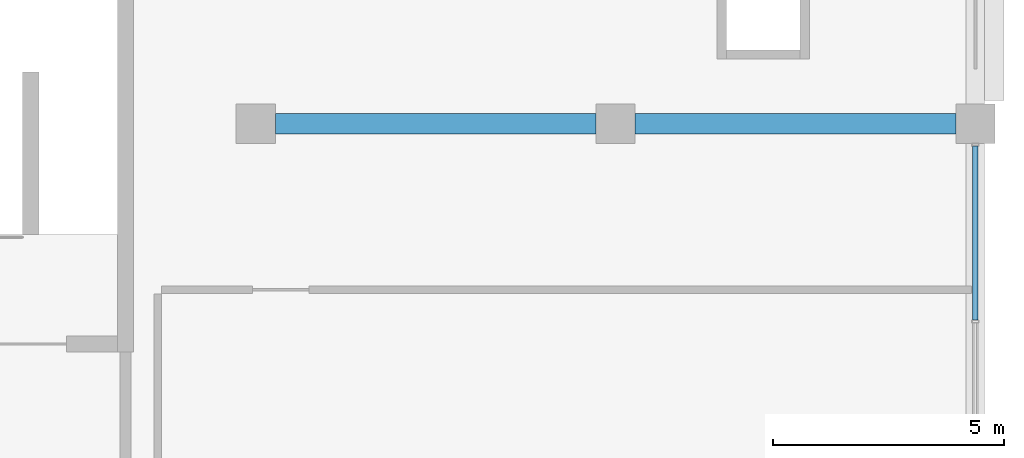
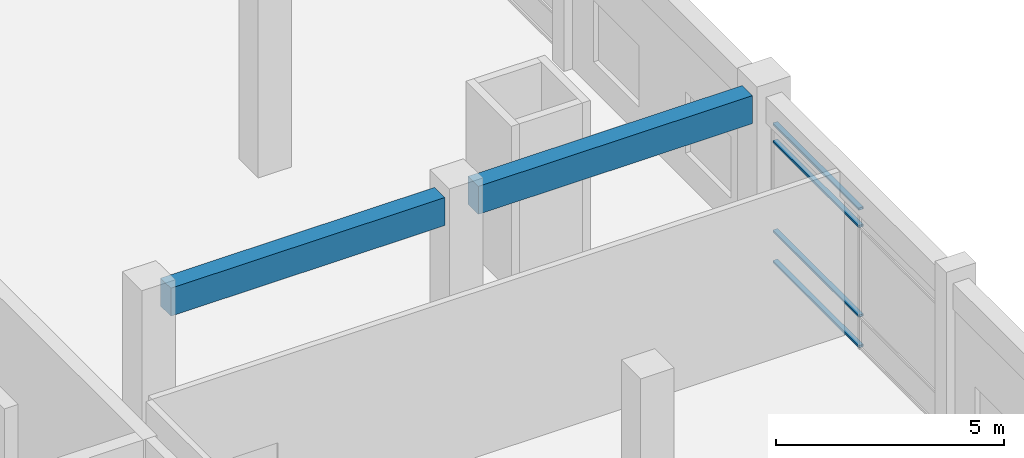
# One storey, part 43 of 79: 4 members, 2 beams, 1 element without a shape of its own.
"""IFC4 building model written with IfcOpenShell, lengths in metres."""

from ifc_helpers import new_model, si_unit, direction, frame, origin, origin_2d, place, context, subcontext, project, spatial, rectangle, hollow_rectangle, extrude, material, material_profile, profile_set, type_object, element, aggregate, save


model = new_model("IFC4")

# Units and contexts
model_context = context("Model", 3, precision=1e-05, world=origin(), true_north=direction((0.0, 1.0)))
body_context = subcontext(model_context, "Body", "Model", "MODEL_VIEW")
ifc_project = project(units=[si_unit("LENGTHUNIT", "METRE"), si_unit("AREAUNIT", "SQUARE_METRE"), si_unit("VOLUMEUNIT", "CUBIC_METRE"), si_unit("PLANEANGLEUNIT", "RADIAN"), si_unit("MASSUNIT", "GRAM", prefix="KILO"), si_unit("THERMODYNAMICTEMPERATUREUNIT", "KELVIN"), si_unit("POWERUNIT", "WATT")], contexts=[model_context])

# Site, building, storey
site_placement = place(None, origin())
site = spatial("IfcSite", under=ifc_project, at=site_placement, CompositionType="ELEMENT")
building_placement = place(site_placement, origin())
building = spatial("IfcBuilding", under=site, at=building_placement, Name="Srebrne Nadtorze General Hospital", CompositionType="ELEMENT")
storey_placement = place(building_placement, frame((0.0, 0.0, 4.800048828125)))
storey = spatial("IfcBuildingStorey", under=building, at=storey_placement, Name="L01", CompositionType="ELEMENT", Elevation=4.800048828125)

# Curtain wall, members
ifc_material_1 = material(Name="Anodised Aluminium", Category="aluminium")
curtain_wall_type = type_object("IfcCurtainWallType", Name="Unitised curtain wall 7725x3750", PredefinedType="NOTDEFINED", material=ifc_material_1)
curtain_wall_placement = place(storey_placement, origin())
curtain_wall = element("IfcCurtainWall", 1, at=curtain_wall_placement, inside=storey, type_object=curtain_wall_type, Name="Curtain wall CW-066", PredefinedType="NOTDEFINED")
ifc_material_2 = material(Name="Anodised Aluminium", Category="aluminium")
ifc_material_profile_1 = material_profile(ifc_material_2, hollow_rectangle(XDim=0.06005859375, YDim=0.1201171875, WallThickness=0.00390625, at=origin_2d()), Name="AL-TRN-60x120")
ifc_profile_set_1 = profile_set([ifc_material_profile_1], Name="Anodised Aluminium")
member_type = type_object("IfcMemberType", Name="Curtain transom 60x120", PredefinedType="USERDEFINED", material=ifc_profile_set_1)
member_1_placement = place(storey_placement, frame((171.60009765625, 46.142578125, 0.030029296875), z_axis=(0.0, 1.0, 0.0), x_axis=(0.0, 0.0, 1.0)))
member_1 = element("IfcMember", 2, at=member_1_placement, type_object=member_type, Name="CW-066 transom 2.1", ObjectType="TRANSOM", PredefinedType="USERDEFINED", context=body_context, shape_type="SweptSolid", body=[
    extrude(hollow_rectangle(XDim=0.06005859375, YDim=0.1201171875, WallThickness=0.00390625, at=origin_2d()), origin(), (0.0, 0.0, 1.0), 3.7724609375),
])
member_2_placement = place(storey_placement, frame((171.60009765625, 46.142578125, 0.849853515625), z_axis=(0.0, 1.0, 0.0), x_axis=(0.0, 0.0, 1.0)))
member_2 = element("IfcMember", 3, at=member_2_placement, type_object=member_type, Name="CW-066 transom 2.2", ObjectType="TRANSOM", PredefinedType="USERDEFINED", context=body_context, shape_type="SweptSolid", body=[
    extrude(hollow_rectangle(XDim=0.06005859375, YDim=0.1201171875, WallThickness=0.00390625, at=origin_2d()), origin(), (0.0, 0.0, 1.0), 3.7724609375),
])
member_3_placement = place(storey_placement, frame((171.60009765625, 46.142578125, 3.25), z_axis=(0.0, 1.0, 0.0), x_axis=(0.0, 0.0, 1.0)))
member_3 = element("IfcMember", 4, at=member_3_placement, type_object=member_type, Name="CW-066 transom 2.3", ObjectType="TRANSOM", PredefinedType="USERDEFINED", context=body_context, shape_type="SweptSolid", body=[
    extrude(hollow_rectangle(XDim=0.06005859375, YDim=0.1201171875, WallThickness=0.00390625, at=origin_2d()), origin(), (0.0, 0.0, 1.0), 3.7724609375),
])
member_4_placement = place(storey_placement, frame((171.60009765625, 46.142578125, 3.719970703125), z_axis=(0.0, 1.0, 0.0), x_axis=(0.0, 0.0, 1.0)))
member_4 = element("IfcMember", 5, at=member_4_placement, type_object=member_type, Name="CW-066 transom 2.4", ObjectType="TRANSOM", PredefinedType="USERDEFINED", context=body_context, shape_type="SweptSolid", body=[
    extrude(hollow_rectangle(XDim=0.06005859375, YDim=0.1201171875, WallThickness=0.00390625, at=origin_2d()), origin(), (0.0, 0.0, 1.0), 3.7724609375),
])
aggregate(curtain_wall, [member_1, member_2, member_3, member_4])

# Beams
ifc_material_3 = material(Name="Concrete C40/50", Category="concrete")
ifc_material_profile_2 = material_profile(ifc_material_3, rectangle(XDim=0.449951171875, YDim=0.75, at=origin_2d()), Name="RC-BM-450x750")
ifc_profile_set_2 = profile_set([ifc_material_profile_2], Name="Concrete C40/50")
beam_type = type_object("IfcBeamType", Name="Primary beam RC 450x750", PredefinedType="BEAM", material=ifc_profile_set_2)
for number, where, z_axis, x_axis, name in (
    (6, (156.425048828125, 50.39990234375, 4.074951171875), (1.0, 0.0, 0.0), (0.0, 1.0, 0.0), "Beam BM-L01-X-0424"),
    (7, (164.22509765625, 50.39990234375, 4.074951171875), (1.0, 0.0, 0.0), (0.0, 1.0, 0.0), "Beam BM-L01-X-0425"),
):
    element("IfcBeam", number, at=place(storey_placement, frame(where, z_axis=z_axis, x_axis=x_axis)), inside=storey, type_object=beam_type, Name=name, PredefinedType="BEAM", context=body_context, shape_type="SweptSolid", body=[
        extrude(rectangle(XDim=0.449951171875, YDim=0.75, at=origin_2d()), origin(), (0.0, 0.0, 1.0), 6.949951171875),
    ])

save(model, "model.ifc")
